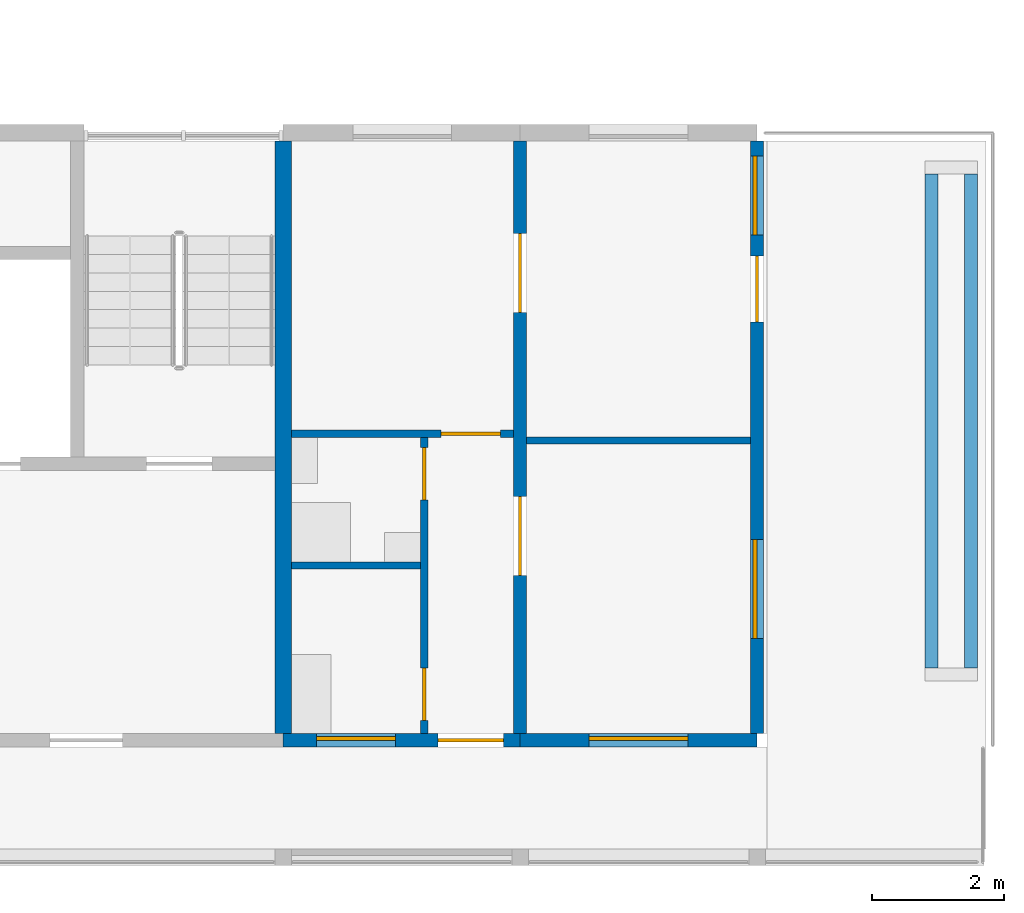
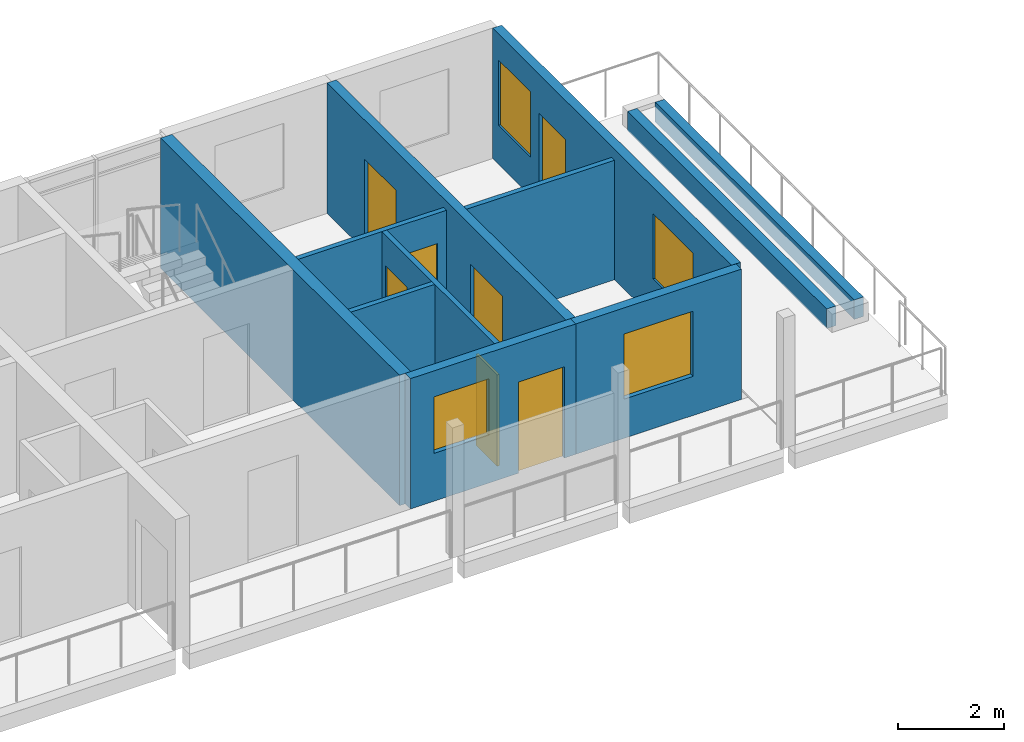
# One storey, part 56 of 94: 11 walls, 7 doors, 4 windows, 11 openings.
"""IFC4 building model written with IfcOpenShell, lengths in metres."""

import ifcopenshell
import ifcopenshell.guid

model = None  # the IFC model being written
_history = None  # IfcOwnerHistory: only IFC2X3 demands one
_inside = {}  # id of a spatial element -> (the spatial element, [elements in it])
_under = {}  # id of a project, library or spatial element -> (it, [spatial elements below it])
_declared = {}  # id of a project -> (the project, [libraries it declares])
_typed = {}  # id of a type object -> (the type object, [elements of that type])
_made_of = {}  # id of a material, layer set ... -> (it, [elements and type objects made of it])


def new_model(schema):
    """Start an empty IFC model of exactly this schema.

    Asked for "IFC4X3", IfcOpenShell would pick the latest addendum, in which some entities
    have other attributes; the version numbers below select the first issue.
    IFC2X3 requires an IfcOwnerHistory on every rooted entity: one is made here for all.
    """
    global model, _history
    if schema == "IFC4X3":
        model = ifcopenshell.file(schema_version=(4, 3, 0, 0))
    else:
        model = ifcopenshell.file(schema=schema)
    _inside.clear()
    _under.clear()
    _declared.clear()
    _typed.clear()
    _made_of.clear()
    _history = None
    if model.schema == "IFC2X3":
        org = make("IfcOrganization", Name="unknown")
        user = make(
            "IfcPersonAndOrganization",
            ThePerson=make("IfcPerson", FamilyName="unknown"),
            TheOrganization=org,
        )
        app = make(
            "IfcApplication",
            ApplicationDeveloper=org,
            Version="unknown",
            ApplicationFullName="unknown",
            ApplicationIdentifier="unknown",
        )
        _history = make(
            "IfcOwnerHistory",
            OwningUser=user,
            OwningApplication=app,
            ChangeAction="ADDED",
            CreationDate=0,
        )
    return model


def make(cls, **values):
    """One entity of the class cls with the attributes given. An attribute that is None is left unset."""
    return model.create_entity(
        cls, **{name: value for name, value in values.items() if value is not None}
    )


def rooted(cls, **values):
    """An entity with a GlobalId (a new one), such as an element, a storey or a relation."""
    return make(cls, GlobalId=ifcopenshell.guid.new(), OwnerHistory=_history, **values)


def si_unit(unit_type, name, prefix=None):
    """IfcSIUnit, for example si_unit("LENGTHUNIT", "METRE", prefix="MILLI")."""
    return make("IfcSIUnit", UnitType=unit_type, Prefix=prefix, Name=name)


def assignment(units):
    """IfcUnitAssignment: the units of a project."""
    return None if units is None else make("IfcUnitAssignment", Units=units)


def point(xyz):
    """IfcCartesianPoint."""
    return None if xyz is None else make("IfcCartesianPoint", Coordinates=xyz)


def direction(xyz):
    """IfcDirection."""
    return None if xyz is None else make("IfcDirection", DirectionRatios=xyz)


def frame(location, z_axis=None, x_axis=None):
    """IfcAxis2Placement3D, a coordinate frame: its origin and axes. An axis left out is left unset."""
    return make(
        "IfcAxis2Placement3D",
        Location=point(location),
        Axis=direction(z_axis),
        RefDirection=direction(x_axis),
    )


def frame_2d(location, x_axis=None):
    """IfcAxis2Placement2D, a coordinate frame in the plane: its origin and x axis."""
    return make(
        "IfcAxis2Placement2D", Location=point(location), RefDirection=direction(x_axis)
    )


def origin():
    """The frame at (0, 0, 0) with its axes left unset."""
    return frame((0.0, 0.0, 0.0))


def place(relative_to, where):
    """IfcLocalPlacement: puts the frame where relative to a parent placement (None: the world)."""
    return make(
        "IfcLocalPlacement", PlacementRelTo=relative_to, RelativePlacement=where
    )


def context(
    kind, dimensions, precision=None, world=None, true_north=None, identifier=None
):
    """IfcGeometricRepresentationContext, for example the 3D "Model" context."""
    return make(
        "IfcGeometricRepresentationContext",
        ContextIdentifier=identifier,
        ContextType=kind,
        CoordinateSpaceDimension=dimensions,
        Precision=precision,
        WorldCoordinateSystem=world,
        TrueNorth=true_north,
    )


def subcontext(parent, identifier, kind, view, scale=None):
    """IfcGeometricRepresentationSubContext, for example "Body" below "Model"."""
    return make(
        "IfcGeometricRepresentationSubContext",
        ContextIdentifier=identifier,
        ContextType=kind,
        ParentContext=parent,
        TargetScale=scale,
        TargetView=view,
    )


def project(units=None, contexts=None):
    """IfcProject with its units and contexts."""
    return rooted(
        "IfcProject",
        Name="project",
        RepresentationContexts=contexts,
        UnitsInContext=assignment(units),
    )


def spatial(cls, under=None, at=None, **own):
    """A site, building, storey or space (cls), placed at a placement, below another one or the project."""
    s = rooted(cls, ObjectPlacement=at, **own)
    if under is not None:
        _under.setdefault(under.id(), (under, []))[1].append(s)
    return s


def profile(cls, at=None, kind="AREA", **sizes):
    """A parametric profile (cls). Its sizes go by their IFC names, for example OverallWidth=200.0."""
    return make(cls, ProfileType=kind, Position=at, **sizes)


def rectangle(**sizes):
    """IfcRectangleProfileDef."""
    return profile("IfcRectangleProfileDef", **sizes)


def extrude(swept, where, along, depth):
    """IfcExtrudedAreaSolid: the profile swept, set in the frame where, extruded along a direction by depth."""
    return make(
        "IfcExtrudedAreaSolid",
        SweptArea=swept,
        Position=where,
        ExtrudedDirection=direction(along),
        Depth=depth,
    )


def shape(context_of_items, identifier, shape_type, items):
    """IfcShapeRepresentation: the items that make up one representation, for example the "Body"."""
    return make(
        "IfcShapeRepresentation",
        ContextOfItems=context_of_items,
        RepresentationIdentifier=identifier,
        RepresentationType=shape_type,
        Items=items,
    )


def material(Name=None, Category=None):
    """IfcMaterial."""
    return make("IfcMaterial", Name=Name, Category=Category)


def layer(
    of_material, thickness, ventilated=None, Name=None, Category=None, Priority=None
):
    """IfcMaterialLayer: one layer of a wall or slab, of a material (None: an air gap)."""
    return make(
        "IfcMaterialLayer",
        Material=of_material,
        LayerThickness=thickness,
        IsVentilated=ventilated,
        Name=Name,
        Category=Category,
        Priority=Priority,
    )


def layer_set(layers, Name=None):
    """IfcMaterialLayerSet."""
    return make("IfcMaterialLayerSet", MaterialLayers=layers, LayerSetName=Name)


def made_of(thing, what):
    """Note that an element or type object is made of a material, layer set ...; save() writes the relation."""
    if what is not None:
        _made_of.setdefault(what.id(), (what, []))[1].append(thing)
    return thing


def type_object(cls, material=None, **own):
    """A type object (cls), such as IfcWallType, which elements share."""
    return made_of(rooted(cls, **own), material)


def element(
    cls,
    number,
    at=None,
    inside=None,
    cuts=None,
    type_object=None,
    material=None,
    context=None,
    identifier="Body",
    shape_type=None,
    held_by="IfcProductDefinitionShape",
    body=None,
    shapes=None,
    **own,
):
    """One element of the class cls, such as IfcWall. Its Tag is "e" and its number.

    at: its placement. inside: the storey or other place that contains it. cuts: it is an
    opening in that element (IfcRelVoidsElement). A single representation is given by context,
    identifier, shape_type and body (its items); several are given by shapes. held_by: the class
    of the entity that holds the representations. save() writes the other relations.
    """
    e = rooted(cls, Tag="e%d" % number, ObjectPlacement=at, **own)
    if body is not None:
        shapes = [shape(context, identifier, shape_type, body)]
    if shapes is not None:
        e.Representation = make(held_by, Representations=shapes)
    if inside is not None:
        _inside.setdefault(inside.id(), (inside, []))[1].append(e)
    if cuts is not None:
        rooted(
            "IfcRelVoidsElement", RelatingBuildingElement=cuts, RelatedOpeningElement=e
        )
    if type_object is not None:
        _typed.setdefault(type_object.id(), (type_object, []))[1].append(e)
    return made_of(e, material)


def fill(opening, filler):
    """IfcRelFillsElement: the door or window that sits in an opening."""
    return rooted(
        "IfcRelFillsElement",
        RelatingOpeningElement=opening,
        RelatedBuildingElement=filler,
    )


def aggregate(whole, parts):
    """IfcRelAggregates: a whole, such as a stair, and the parts it consists of."""
    return rooted("IfcRelAggregates", RelatingObject=whole, RelatedObjects=parts)


def save(model, path):
    """Write the relations noted so far, then the file.

    IfcRelAggregates (storeys below a building ...), IfcRelContainedInSpatialStructure (elements
    in a storey), IfcRelDefinesByType, IfcRelAssociatesMaterial and IfcRelDeclares: one each for
    every whole, place, type object, material and project.
    """
    for whole, parts in _under.values():
        aggregate(whole, parts)
    for where, things in _inside.values():
        rooted(
            "IfcRelContainedInSpatialStructure",
            RelatedElements=things,
            RelatingStructure=where,
        )
    for kind, things in _typed.values():
        rooted("IfcRelDefinesByType", RelatedObjects=things, RelatingType=kind)
    for what, things in _made_of.values():
        rooted("IfcRelAssociatesMaterial", RelatedObjects=things, RelatingMaterial=what)
    for by, libraries in _declared.values():
        rooted("IfcRelDeclares", RelatingContext=by, RelatedDefinitions=libraries)
    model.write(path)


model = new_model("IFC4")

# Units and contexts
model_context = context("Model", 3, precision=1e-05, world=origin(), true_north=direction((0.0, 1.0)))
body_context = subcontext(model_context, "Body", "Model", "MODEL_VIEW")
ifc_project = project(units=[si_unit("LENGTHUNIT", "METRE"), si_unit("AREAUNIT", "SQUARE_METRE"), si_unit("VOLUMEUNIT", "CUBIC_METRE"), si_unit("PLANEANGLEUNIT", "RADIAN"), si_unit("MASSUNIT", "GRAM", prefix="KILO")], contexts=[model_context])

# Site, building, storey
site_placement = place(None, origin())
site = spatial("IfcSite", under=ifc_project, at=site_placement, CompositionType="ELEMENT")
building_placement = place(site_placement, origin())
building = spatial("IfcBuilding", under=site, at=building_placement, Name="Ridgestep Commons", CompositionType="ELEMENT")
storey_placement = place(building_placement, frame((0.0, 0.0, 21.0)))
storey = spatial("IfcBuildingStorey", under=building, at=storey_placement, Name="L07", CompositionType="ELEMENT", Elevation=21.0)

# Wall
ifc_material_1 = material(Name="Concrete C30/37", Category="concrete")
ifc_layer_1 = layer(ifc_material_1, 0.25)
ifc_layer_set_1 = layer_set([ifc_layer_1], Name="Core cross wall 250")
wall_type_1 = type_object("IfcWallType", Name="Core cross wall 250", PredefinedType="SHEAR", material=ifc_layer_set_1)
wall_1_placement = place(storey_placement, frame((236.800048828125, 68.0, 0.0), z_axis=(0.0, 0.0, 1.0), x_axis=(0.0, 1.0, 0.0)))
element("IfcWall", 1, at=wall_1_placement, inside=storey, type_object=wall_type_1, Name="Cross wall C-07-2368", PredefinedType="SHEAR", context=body_context, shape_type="SweptSolid", body=[
    extrude(rectangle(XDim=9.0, YDim=0.25, at=frame_2d((4.5, 0.0))), origin(), (0.0, 0.0, 1.0), 3.0),
])

# Wall, openings, doors
ifc_material_2 = material(Name="Precast concrete C40/50", Category="concrete")
ifc_layer_2 = layer(ifc_material_2, 0.199951171875)
ifc_layer_set_2 = layer_set([ifc_layer_2], Name="Cross wall 200")
wall_type_2 = type_object("IfcWallType", Name="Cross wall 200", PredefinedType="SHEAR", material=ifc_layer_set_2)
wall_2_placement = place(storey_placement, frame((240.39990234375, 68.0, 0.0), z_axis=(0.0, 0.0, 1.0), x_axis=(0.0, 1.0, 0.0)))
wall_2 = element("IfcWall", 2, at=wall_2_placement, inside=storey, type_object=wall_type_2, Name="Cross wall C-07-2404", PredefinedType="SHEAR", context=body_context, shape_type="SweptSolid", body=[
    extrude(rectangle(XDim=9.0, YDim=0.199951171875, at=frame_2d((4.5, 0.0))), origin(), (0.0, 0.0, 1.0), 3.0),
])
opening_1_placement = place(wall_2_placement, frame((2.39990234375, 0.0, 0.0)))
opening_1 = element("IfcOpeningElement", 3, at=opening_1_placement, cuts=wall_2, Name="Opening C6-07a/5", PredefinedType="OPENING", context=body_context, shape_type="SweptSolid", body=[
    extrude(rectangle(XDim=1.199951171875, YDim=2.10009765625, at=frame_2d((0.60009765625, 1.050048828125))), frame((0.0, 0.10986328125, 0.0), z_axis=(0.0, -1.0, 0.0), x_axis=(1.0, 0.0, 0.0)), (0.0, 0.0, 1.0), 0.219970703125),
])
opening_2_placement = place(wall_2_placement, frame((6.39990234375, 0.0, 0.0)))
opening_2 = element("IfcOpeningElement", 4, at=opening_2_placement, cuts=wall_2, Name="Opening C6-07a/6", PredefinedType="OPENING", context=body_context, shape_type="SweptSolid", body=[
    extrude(rectangle(XDim=1.199951171875, YDim=2.10009765625, at=frame_2d((0.60009765625, 1.050048828125))), frame((0.0, 0.10986328125, 0.0), z_axis=(0.0, -1.0, 0.0), x_axis=(1.0, 0.0, 0.0)), (0.0, 0.0, 1.0), 0.219970703125),
])
ifc_material_3 = material(Name="Timber door leaf", Category="wood")
door_type_1 = type_object("IfcDoorType", Name="Double door 1200 x 2100", OperationType="DOUBLE_DOOR_SINGLE_SWING", PredefinedType="DOOR", material=ifc_material_3)
door_1_placement = place(opening_1_placement, origin())
door_1 = element("IfcDoor", 5, at=door_1_placement, inside=storey, type_object=door_type_1, Name="Double door C6-07a/5", OperationType="DOUBLE_DOOR_SINGLE_SWING", OverallHeight=2.10009765625, OverallWidth=1.199951171875, PredefinedType="DOOR", context=body_context, shape_type="SweptSolid", body=[
    extrude(rectangle(XDim=1.199951171875, YDim=2.10009765625, at=frame_2d((0.60009765625, 1.050048828125))), frame((0.0, 0.02490234375, 0.0), z_axis=(0.0, -1.0, 0.0), x_axis=(1.0, 0.0, 0.0)), (0.0, 0.0, 1.0), 0.050048828125),
])
fill(opening_1, door_1)
door_2_placement = place(opening_2_placement, origin())
door_2 = element("IfcDoor", 6, at=door_2_placement, inside=storey, type_object=door_type_1, Name="Double door C6-07a/6", OperationType="DOUBLE_DOOR_SINGLE_SWING", OverallHeight=2.10009765625, OverallWidth=1.199951171875, PredefinedType="DOOR", context=body_context, shape_type="SweptSolid", body=[
    extrude(rectangle(XDim=1.199951171875, YDim=2.10009765625, at=frame_2d((0.60009765625, 1.050048828125))), frame((0.0, 0.02490234375, 0.0), z_axis=(0.0, -1.0, 0.0), x_axis=(1.0, 0.0, 0.0)), (0.0, 0.0, 1.0), 0.050048828125),
])
fill(opening_2, door_2)

# Wall, openings, windows, door
ifc_material_4 = material(Name="Precast concrete C40/50", Category="concrete")
ifc_layer_3 = layer(ifc_material_4, 0.199951171875)
ifc_layer_set_3 = layer_set([ifc_layer_3], Name="Exposed cross wall 200")
wall_type_3 = type_object("IfcWallType", Name="Exposed cross wall 200", PredefinedType="SHEAR", material=ifc_layer_set_3)
wall_3_placement = place(storey_placement, frame((244.0, 68.0, 0.0), z_axis=(0.0, 0.0, 1.0), x_axis=(0.0, 1.0, 0.0)))
wall_3 = element("IfcWall", 7, at=wall_3_placement, inside=storey, type_object=wall_type_3, Name="Cross wall C-07-2440", PredefinedType="SHEAR", context=body_context, shape_type="SweptSolid", body=[
    extrude(rectangle(XDim=9.0, YDim=0.199951171875, at=frame_2d((4.5, 0.0))), origin(), (0.0, 0.0, 1.0), 3.0),
])
opening_3_placement = place(wall_3_placement, frame((1.449951171875, 0.0, 0.89990234375)))
opening_3 = element("IfcOpeningElement", 8, at=opening_3_placement, cuts=wall_3, Name="Opening W16", PredefinedType="OPENING", context=body_context, shape_type="SweptSolid", body=[
    extrude(rectangle(XDim=1.5, YDim=1.5, at=frame_2d((0.75, 0.75))), frame((0.0, 0.10986328125, 0.0), z_axis=(0.0, -1.0, 0.0), x_axis=(1.0, 0.0, 0.0)), (0.0, 0.0, 1.0), 0.219970703125),
])
opening_4_placement = place(wall_3_placement, frame((7.577392578125, 0.0, 0.89990234375)))
opening_4 = element("IfcOpeningElement", 9, at=opening_4_placement, cuts=wall_3, Name="Opening W10", PredefinedType="OPENING", context=body_context, shape_type="SweptSolid", body=[
    extrude(rectangle(XDim=1.199951171875, YDim=1.5, at=frame_2d((0.60009765625, 0.75))), frame((0.0, 0.10986328125, 0.0), z_axis=(0.0, -1.0, 0.0), x_axis=(1.0, 0.0, 0.0)), (0.0, 0.0, 1.0), 0.219970703125),
])
opening_5_placement = place(wall_3_placement, frame((6.2548828125, 0.0, 0.0)))
opening_5 = element("IfcOpeningElement", 10, at=opening_5_placement, cuts=wall_3, Name="Opening C6-07a/7", PredefinedType="OPENING", context=body_context, shape_type="SweptSolid", body=[
    extrude(rectangle(XDim=1.0, YDim=2.10009765625, at=frame_2d((0.5, 1.050048828125))), frame((0.0, 0.10986328125, 0.0), z_axis=(0.0, -1.0, 0.0), x_axis=(1.0, 0.0, 0.0)), (0.0, 0.0, 1.0), 0.219970703125),
])
ifc_material_5 = material(Name="Aluminium 6063-T6 and glass", Category="aluminium")
window_type_1 = type_object("IfcWindowType", Name="Flat window 1200 x 1500", PartitioningType="SINGLE_PANEL", PredefinedType="WINDOW", material=ifc_material_5)
window_1_placement = place(opening_4_placement, origin())
window_1 = element("IfcWindow", 11, at=window_1_placement, inside=storey, type_object=window_type_1, Name="Window C6-07a 6", OverallHeight=1.5, OverallWidth=1.199951171875, PartitioningType="SINGLE_PANEL", PredefinedType="WINDOW", context=body_context, shape_type="SweptSolid", body=[
    extrude(rectangle(XDim=1.199951171875, YDim=1.5, at=frame_2d((0.60009765625, 0.75))), frame((0.0, 0.06005859375, 0.0), z_axis=(0.0, -1.0, 0.0), x_axis=(1.0, 0.0, 0.0)), (0.0, 0.0, 1.0), 0.06005859375),
])
fill(opening_4, window_1)
ifc_material_6 = material(Name="Aluminium 6063-T6 and glass", Category="aluminium")
window_type_2 = type_object("IfcWindowType", Name="Flat window 1500 x 1500", PartitioningType="DOUBLE_PANEL_VERTICAL", PredefinedType="WINDOW", material=ifc_material_6)
window_2_placement = place(opening_3_placement, origin())
window_2 = element("IfcWindow", 12, at=window_2_placement, inside=storey, type_object=window_type_2, Name="Window C6-07a 5", OverallHeight=1.5, OverallWidth=1.5, PartitioningType="SINGLE_PANEL", PredefinedType="WINDOW", context=body_context, shape_type="SweptSolid", body=[
    extrude(rectangle(XDim=1.5, YDim=1.5, at=frame_2d((0.75, 0.75))), frame((0.0, 0.06005859375, 0.0), z_axis=(0.0, -1.0, 0.0), x_axis=(1.0, 0.0, 0.0)), (0.0, 0.0, 1.0), 0.06005859375),
])
fill(opening_3, window_2)
ifc_material_7 = material(Name="Aluminium and glass", Category="aluminium")
door_type_2 = type_object("IfcDoorType", Name="Terrace door 1000 x 2100", OperationType="NOTDEFINED", PredefinedType="DOOR", material=ifc_material_7)
door_3_placement = place(opening_5_placement, origin())
door_3 = element("IfcDoor", 13, at=door_3_placement, inside=storey, type_object=door_type_2, Name="Terrace door C6-07a/7", OperationType="SINGLE_SWING_LEFT", OverallHeight=2.10009765625, OverallWidth=1.0, PredefinedType="DOOR", context=body_context, shape_type="SweptSolid", body=[
    extrude(rectangle(XDim=1.0, YDim=2.10009765625, at=frame_2d((0.5, 1.050048828125))), frame((0.0, 0.02490234375, 0.0), z_axis=(0.0, -1.0, 0.0), x_axis=(1.0, 0.0, 0.0)), (0.0, 0.0, 1.0), 0.050048828125),
])
fill(opening_5, door_3)

# Wall
ifc_material_8 = material(Name="Common brick 110 mm", Category="masonry")
ifc_layer_4 = layer(ifc_material_8, 0.110107421875)
ifc_layer_set_4 = layer_set([ifc_layer_4], Name="Partition 110")
wall_type_4 = type_object("IfcWallType", Name="Partition 110", PredefinedType="PARTITIONING", material=ifc_layer_set_4)
wall_4_placement = place(storey_placement, frame((236.925048828125, 70.554931640625, 0.0), z_axis=(0.0, 0.0, 1.0), x_axis=(1.0, 0.0, 0.0)))
element("IfcWall", 14, at=wall_4_placement, inside=storey, type_object=wall_type_4, Name="Partition C6-07a", PredefinedType="PARTITIONING", context=body_context, shape_type="SweptSolid", body=[
    extrude(rectangle(XDim=1.96484375, YDim=0.110107421875, at=frame_2d((0.982421875, 0.0))), origin(), (0.0, 0.0, 1.0), 2.800048828125),
])

# Wall, openings, doors
wall_5_placement = place(storey_placement, frame((238.945068359375, 68.0, 0.0), z_axis=(0.0, 0.0, 1.0), x_axis=(0.0, 1.0, 0.0)))
wall_5 = element("IfcWall", 15, at=wall_5_placement, inside=storey, type_object=wall_type_4, Name="Partition C6-07a", PredefinedType="PARTITIONING", context=body_context, shape_type="SweptSolid", body=[
    extrude(rectangle(XDim=4.5, YDim=0.110107421875, at=frame_2d((2.25, 0.0))), origin(), (0.0, 0.0, 1.0), 2.800048828125),
])
opening_6_placement = place(wall_5_placement, frame((0.199951171875, 0.0, 0.0)))
opening_6 = element("IfcOpeningElement", 16, at=opening_6_placement, cuts=wall_5, Name="Opening C6-07a/2", PredefinedType="OPENING", context=body_context, shape_type="SweptSolid", body=[
    extrude(rectangle(XDim=0.800048828125, YDim=2.10009765625, at=frame_2d((0.39990234375, 1.050048828125))), frame((0.0, 0.06494140625, 0.0), z_axis=(0.0, -1.0, 0.0), x_axis=(1.0, 0.0, 0.0)), (0.0, 0.0, 1.0), 0.130126953125),
])
opening_7_placement = place(wall_5_placement, frame((3.550048828125, 0.0, 0.0)))
opening_7 = element("IfcOpeningElement", 17, at=opening_7_placement, cuts=wall_5, Name="Opening C6-07a/3", PredefinedType="OPENING", context=body_context, shape_type="SweptSolid", body=[
    extrude(rectangle(XDim=0.800048828125, YDim=2.10009765625, at=frame_2d((0.39990234375, 1.050048828125))), frame((0.0, 0.06494140625, 0.0), z_axis=(0.0, -1.0, 0.0), x_axis=(1.0, 0.0, 0.0)), (0.0, 0.0, 1.0), 0.130126953125),
])
ifc_material_9 = material(Name="Timber door leaf", Category="wood")
door_type_3 = type_object("IfcDoorType", Name="Internal door 800 x 2100", OperationType="NOTDEFINED", PredefinedType="DOOR", material=ifc_material_9)
door_4_placement = place(opening_6_placement, origin())
door_4 = element("IfcDoor", 18, at=door_4_placement, inside=storey, type_object=door_type_3, Name="Internal door C6-07a/2", OperationType="SINGLE_SWING_LEFT", OverallHeight=2.10009765625, OverallWidth=0.800048828125, PredefinedType="DOOR", context=body_context, shape_type="SweptSolid", body=[
    extrude(rectangle(XDim=0.800048828125, YDim=2.10009765625, at=frame_2d((0.39990234375, 1.050048828125))), frame((0.0, 0.02490234375, 0.0), z_axis=(0.0, -1.0, 0.0), x_axis=(1.0, 0.0, 0.0)), (0.0, 0.0, 1.0), 0.050048828125),
])
fill(opening_6, door_4)
door_5_placement = place(opening_7_placement, origin())
door_5 = element("IfcDoor", 19, at=door_5_placement, inside=storey, type_object=door_type_3, Name="Internal door C6-07a/3", OperationType="SINGLE_SWING_RIGHT", OverallHeight=2.10009765625, OverallWidth=0.800048828125, PredefinedType="DOOR", context=body_context, shape_type="SweptSolid", body=[
    extrude(rectangle(XDim=0.800048828125, YDim=2.10009765625, at=frame_2d((0.39990234375, 1.050048828125))), frame((0.0, 0.02490234375, 0.0), z_axis=(0.0, -1.0, 0.0), x_axis=(1.0, 0.0, 0.0)), (0.0, 0.0, 1.0), 0.050048828125),
])
fill(opening_7, door_5)

# Wall, opening, door
wall_6_placement = place(storey_placement, frame((236.925048828125, 72.554931640625, 0.0), z_axis=(0.0, 0.0, 1.0), x_axis=(1.0, 0.0, 0.0)))
wall_6 = element("IfcWall", 20, at=wall_6_placement, inside=storey, type_object=wall_type_4, Name="Partition C6-07a", PredefinedType="PARTITIONING", context=body_context, shape_type="SweptSolid", body=[
    extrude(rectangle(XDim=3.375, YDim=0.110107421875, at=frame_2d((1.6875, 0.0))), origin(), (0.0, 0.0, 1.0), 2.800048828125),
])
opening_8_placement = place(wall_6_placement, frame((2.27490234375, 0.0, 0.0)))
opening_8 = element("IfcOpeningElement", 21, at=opening_8_placement, cuts=wall_6, Name="Opening C6-07a/4", PredefinedType="OPENING", context=body_context, shape_type="SweptSolid", body=[
    extrude(rectangle(XDim=0.89990234375, YDim=2.10009765625, at=frame_2d((0.449951171875, 1.050048828125))), frame((0.0, 0.06494140625, 0.0), z_axis=(0.0, -1.0, 0.0), x_axis=(1.0, 0.0, 0.0)), (0.0, 0.0, 1.0), 0.130126953125),
])
ifc_material_10 = material(Name="Timber door leaf", Category="wood")
door_type_4 = type_object("IfcDoorType", Name="Internal door 900 x 2100", OperationType="NOTDEFINED", PredefinedType="DOOR", material=ifc_material_10)
door_6_placement = place(opening_8_placement, origin())
door_6 = element("IfcDoor", 22, at=door_6_placement, inside=storey, type_object=door_type_4, Name="Internal door C6-07a/4", OperationType="SINGLE_SWING_LEFT", OverallHeight=2.10009765625, OverallWidth=0.89990234375, PredefinedType="DOOR", context=body_context, shape_type="SweptSolid", body=[
    extrude(rectangle(XDim=0.89990234375, YDim=2.10009765625, at=frame_2d((0.449951171875, 1.050048828125))), frame((0.0, 0.02490234375, 0.0), z_axis=(0.0, -1.0, 0.0), x_axis=(1.0, 0.0, 0.0)), (0.0, 0.0, 1.0), 0.050048828125),
])
fill(opening_8, door_6)

# Walls
wall_7_placement = place(storey_placement, frame((240.5, 72.455078125, 0.0), z_axis=(0.0, 0.0, 1.0), x_axis=(1.0, 0.0, 0.0)))
element("IfcWall", 23, at=wall_7_placement, inside=storey, type_object=wall_type_4, Name="Partition C6-07a", PredefinedType="PARTITIONING", context=body_context, shape_type="SweptSolid", body=[
    extrude(rectangle(XDim=3.39990234375, YDim=0.110107421875, at=frame_2d((1.699951171875, 0.0))), origin(), (0.0, 0.0, 1.0), 2.75),
])
ifc_material_11 = material(Name="Facing brick", Category="masonry")
ifc_layer_5 = layer(ifc_material_11, 0.199951171875)
ifc_layer_set_5 = layer_set([ifc_layer_5], Name="Planter wall 200")
wall_type_5 = type_object("IfcWallType", Name="Planter wall 200", PredefinedType="SOLIDWALL", material=ifc_layer_set_5)
for number, where, z_axis, x_axis, name in (
    (24, (246.64990234375, 69.0, 0.010009765625), (0.0, 0.0, 1.0), (0.0, 1.0, 0.0), "Planter wall C6R1W"),
    (25, (247.25, 69.0, 0.010009765625), (0.0, 0.0, 1.0), (0.0, 1.0, 0.0), "Planter wall C6R1E"),
):
    element("IfcWall", number, at=place(storey_placement, frame(where, z_axis=z_axis, x_axis=x_axis)), inside=storey, type_object=wall_type_5, Name=name, PredefinedType="SOLIDWALL", context=body_context, shape_type="SweptSolid", body=[
        extrude(rectangle(XDim=7.5, YDim=0.199951171875, at=frame_2d((3.75, 0.0))), origin(), (0.0, 0.0, 1.0), 0.449951171875),
    ])

# Wall, openings, door, window
ifc_material_12 = material(Name="Precast concrete C40/50", Category="concrete")
ifc_layer_6 = layer(ifc_material_12, 0.199951171875)
ifc_layer_set_6 = layer_set([ifc_layer_6], Name="South facade panel 200")
wall_type_6 = type_object("IfcWallType", Name="South facade panel 200", PredefinedType="SOLIDWALL", material=ifc_layer_set_6)
wall_8_placement = place(storey_placement, frame((236.800048828125, 67.89990234375, 0.0), z_axis=(0.0, 0.0, 1.0), x_axis=(1.0, 0.0, 0.0)))
wall_8 = element("IfcWall", 26, at=wall_8_placement, inside=storey, type_object=wall_type_6, Name="South panel C6T3 L07", PredefinedType="SOLIDWALL", context=body_context, shape_type="SweptSolid", body=[
    extrude(rectangle(XDim=3.599853515625, YDim=0.199951171875, at=frame_2d((1.7998046875, 0.0))), origin(), (0.0, 0.0, 1.0), 3.0),
])
opening_9_placement = place(wall_8_placement, frame((0.507568359375, 0.0, 1.10009765625)))
opening_9 = element("IfcOpeningElement", 27, at=opening_9_placement, cuts=wall_8, Name="Opening W08", PredefinedType="OPENING", context=body_context, shape_type="SweptSolid", body=[
    extrude(rectangle(XDim=1.199951171875, YDim=1.300048828125, at=frame_2d((0.60009765625, 0.64990234375))), frame((0.0, 0.10986328125, 0.0), z_axis=(0.0, -1.0, 0.0), x_axis=(1.0, 0.0, 0.0)), (0.0, 0.0, 1.0), 0.219970703125),
])
opening_10_placement = place(wall_8_placement, frame((2.35009765625, 0.0, 0.0)))
opening_10 = element("IfcOpeningElement", 28, at=opening_10_placement, cuts=wall_8, Name="Opening C6-07a/1", PredefinedType="OPENING", context=body_context, shape_type="SweptSolid", body=[
    extrude(rectangle(XDim=1.0, YDim=2.10009765625, at=frame_2d((0.5, 1.050048828125))), frame((0.0, 0.10986328125, 0.0), z_axis=(0.0, -1.0, 0.0), x_axis=(1.0, 0.0, 0.0)), (0.0, 0.0, 1.0), 0.219970703125),
])
ifc_material_13 = material(Name="Timber door leaf", Category="wood")
door_type_5 = type_object("IfcDoorType", Name="Flat entrance door 1000 x 2100 FD30S", OperationType="NOTDEFINED", PredefinedType="DOOR", material=ifc_material_13)
door_7_placement = place(opening_10_placement, origin())
door_7 = element("IfcDoor", 29, at=door_7_placement, inside=storey, type_object=door_type_5, Name="Flat entrance door C6-07a/1", OperationType="SINGLE_SWING_RIGHT", OverallHeight=2.10009765625, OverallWidth=1.0, PredefinedType="DOOR", context=body_context, shape_type="SweptSolid", body=[
    extrude(rectangle(XDim=1.0, YDim=2.10009765625, at=frame_2d((0.5, 1.050048828125))), frame((0.0, 0.02490234375, 0.0), z_axis=(0.0, -1.0, 0.0), x_axis=(1.0, 0.0, 0.0)), (0.0, 0.0, 1.0), 0.050048828125),
])
fill(opening_10, door_7)
ifc_material_14 = material(Name="Aluminium 6063-T6 and glass", Category="aluminium")
window_type_3 = type_object("IfcWindowType", Name="Flat window 1200 x 1300", PartitioningType="SINGLE_PANEL", PredefinedType="WINDOW", material=ifc_material_14)
window_3_placement = place(opening_9_placement, origin())
window_3 = element("IfcWindow", 30, at=window_3_placement, inside=storey, type_object=window_type_3, Name="Window C6-07a 3", OverallHeight=1.300048828125, OverallWidth=1.199951171875, PartitioningType="SINGLE_PANEL", PredefinedType="WINDOW", context=body_context, shape_type="SweptSolid", body=[
    extrude(rectangle(XDim=1.199951171875, YDim=1.300048828125, at=frame_2d((0.60009765625, 0.64990234375))), frame((0.0, 0.06005859375, 0.0), z_axis=(0.0, -1.0, 0.0), x_axis=(1.0, 0.0, 0.0)), (0.0, 0.0, 1.0), 0.06005859375),
])
fill(opening_9, window_3)

# Wall, opening, window
wall_9_placement = place(storey_placement, frame((240.39990234375, 67.89990234375, 0.0), z_axis=(0.0, 0.0, 1.0), x_axis=(1.0, 0.0, 0.0)))
wall_9 = element("IfcWall", 31, at=wall_9_placement, inside=storey, type_object=wall_type_6, Name="South panel C6T2 L07", PredefinedType="SOLIDWALL", context=body_context, shape_type="SweptSolid", body=[
    extrude(rectangle(XDim=3.60009765625, YDim=0.199951171875, at=frame_2d((1.800048828125, 0.0))), origin(), (0.0, 0.0, 1.0), 3.0),
])
opening_11_placement = place(wall_9_placement, frame((1.050048828125, 0.0, 0.89990234375)))
opening_11 = element("IfcOpeningElement", 32, at=opening_11_placement, cuts=wall_9, Name="Opening W16", PredefinedType="OPENING", context=body_context, shape_type="SweptSolid", body=[
    extrude(rectangle(XDim=1.5, YDim=1.5, at=frame_2d((0.75, 0.75))), frame((0.0, 0.10986328125, 0.0), z_axis=(0.0, -1.0, 0.0), x_axis=(1.0, 0.0, 0.0)), (0.0, 0.0, 1.0), 0.219970703125),
])
window_4_placement = place(opening_11_placement, origin())
window_4 = element("IfcWindow", 33, at=window_4_placement, inside=storey, type_object=window_type_2, Name="Window C6-07a 1", OverallHeight=1.5, OverallWidth=1.5, PartitioningType="SINGLE_PANEL", PredefinedType="WINDOW", context=body_context, shape_type="SweptSolid", body=[
    extrude(rectangle(XDim=1.5, YDim=1.5, at=frame_2d((0.75, 0.75))), frame((0.0, 0.06005859375, 0.0), z_axis=(0.0, -1.0, 0.0), x_axis=(1.0, 0.0, 0.0)), (0.0, 0.0, 1.0), 0.06005859375),
])
fill(opening_11, window_4)

save(model, "model.ifc")
